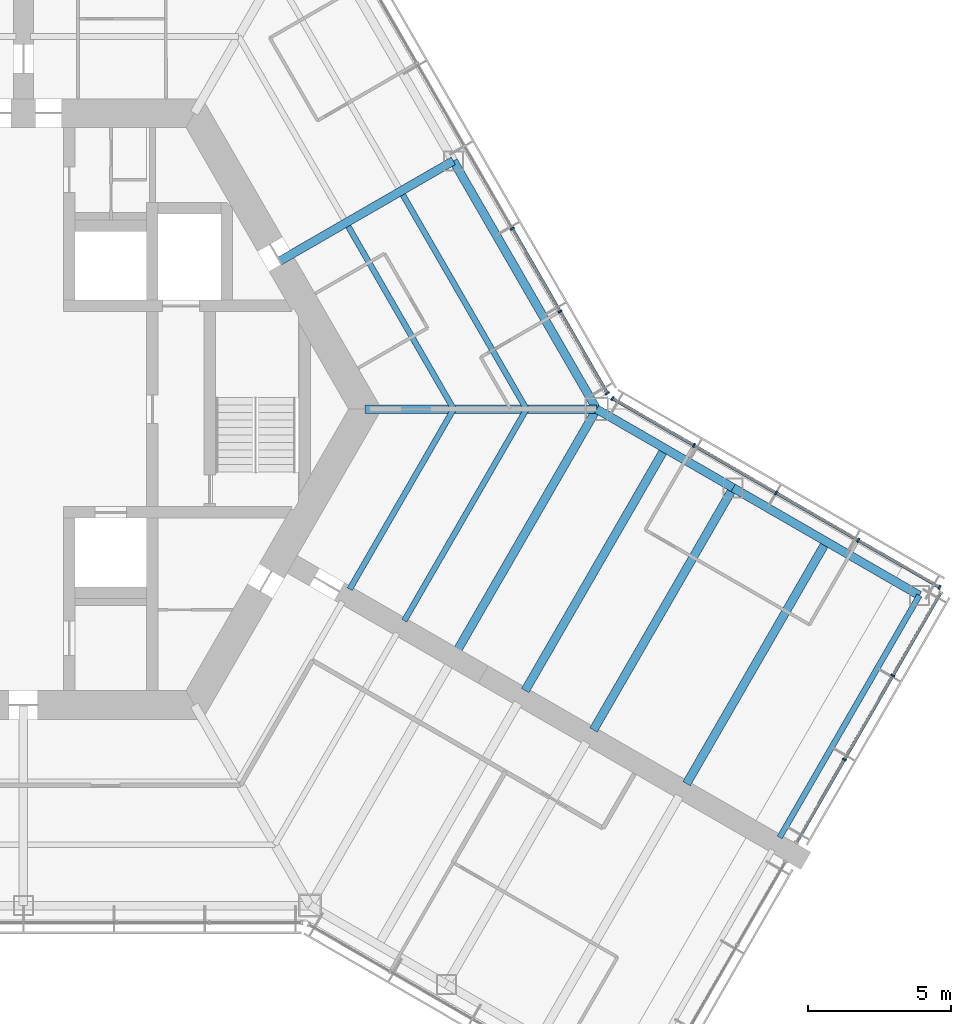
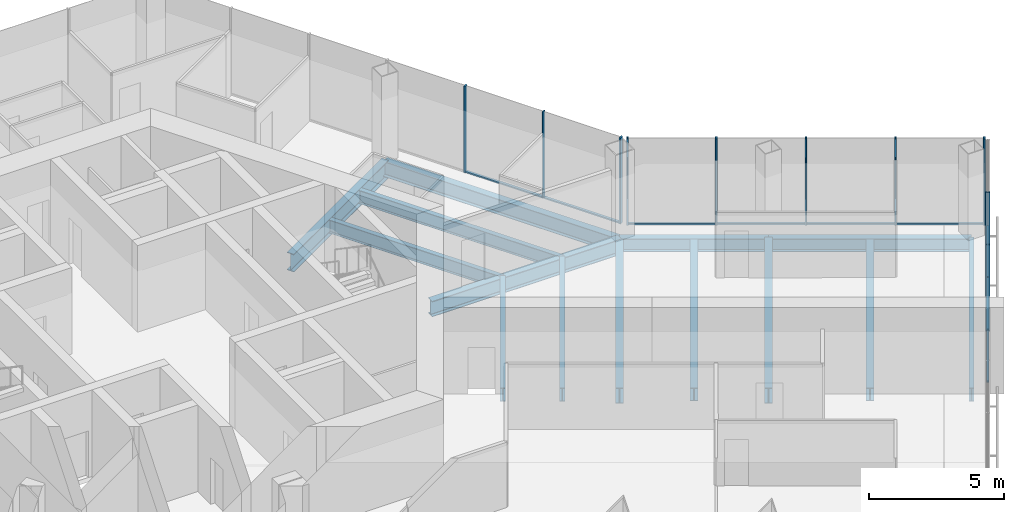
# One storey, part 6 of 18: 19 members, 14 beams, 3 elements without a shape of their own.
"""IFC4 building model written with IfcOpenShell, lengths in metres."""

from ifc_helpers import new_model, si_unit, direction, frame, origin, origin_2d, place, context, subcontext, project, spatial, rectangle, i_section, extrude, material, material_profile, profile_set, type_object, element, aggregate, save


model = new_model("IFC4")

# Units and contexts
model_context = context("Model", 3, precision=1e-05, world=origin(), true_north=direction((0.0, 1.0)))
body_context = subcontext(model_context, "Body", "Model", "MODEL_VIEW")
ifc_project = project(units=[si_unit("LENGTHUNIT", "METRE"), si_unit("AREAUNIT", "SQUARE_METRE"), si_unit("VOLUMEUNIT", "CUBIC_METRE"), si_unit("PLANEANGLEUNIT", "RADIAN"), si_unit("MASSUNIT", "GRAM", prefix="KILO")], contexts=[model_context])

# Site, building, storey
site_placement = place(None, origin())
site = spatial("IfcSite", under=ifc_project, at=site_placement, CompositionType="ELEMENT")
building_placement = place(site_placement, origin())
building = spatial("IfcBuilding", under=site, at=building_placement, Name="Kasaneha Research Tower", CompositionType="ELEMENT")
storey_placement = place(building_placement, frame((0.0, 0.0, 144.800048828125)))
storey = spatial("IfcBuildingStorey", under=building, at=storey_placement, Name="L36", CompositionType="ELEMENT", Elevation=144.800048828125)

# Beams
ifc_material_1 = material(Name="Steel SN490B", Category="steel")
ifc_material_profile_1 = material_profile(ifc_material_1, i_section(OverallWidth=0.199951171875, OverallDepth=0.60009765625, WebThickness=0.010986328125, FlangeThickness=0.01708984375, FilletRadius=0.012939453125, at=origin_2d()), Name="H-600x200x11x17")
ifc_profile_set_1 = profile_set([ifc_material_profile_1], Name="Steel SN490B")
beam_type_1 = type_object("IfcBeamType", Name="B1-3 secondary beam H-600x200x11x17", PredefinedType="JOIST", material=ifc_profile_set_1)
beam_1_placement = place(storey_placement, frame((15.010986328125, 0.0, -0.449951171875), z_axis=(-0.499994443168, 0.866028611999, 0.0), x_axis=(-0.866028611999, -0.499994443168, 0.0)))
element("IfcBeam", 1, at=beam_1_placement, inside=storey, type_object=beam_type_1, Name="Secondary beam RS030L1 L36", PredefinedType="JOIST", context=body_context, shape_type="SweptSolid", body=[
    extrude(i_section(OverallWidth=0.199951171875, OverallDepth=0.60009765625, WebThickness=0.010986328125, FlangeThickness=0.01708984375, FilletRadius=0.012939453125, at=origin_2d()), origin(), (0.0, 0.0, 1.0), 7.35546875),
])
beam_2_placement = place(storey_placement, frame((17.551513671875, 0.0, -0.449951171875), z_axis=(-0.5000050195, 0.866022505755, 0.0), x_axis=(-0.866022505755, -0.5000050195, 0.0)))
element("IfcBeam", 2, at=beam_2_placement, inside=storey, type_object=beam_type_1, Name="Secondary beam RS030L2 L36", PredefinedType="JOIST", context=body_context, shape_type="SweptSolid", body=[
    extrude(i_section(OverallWidth=0.199951171875, OverallDepth=0.60009765625, WebThickness=0.010986328125, FlangeThickness=0.01708984375, FilletRadius=0.012939453125, at=origin_2d()), origin(), (0.0, 0.0, 1.0), 8.6259765625),
])
beam_3_placement = place(storey_placement, frame((15.010986328125, 0.0, -0.449951171875), z_axis=(-0.499993340521, -0.866029248602, 0.0), x_axis=(0.866029248602, -0.499993340521, 0.0)))
element("IfcBeam", 3, at=beam_3_placement, inside=storey, type_object=beam_type_1, Name="Secondary beam RS330R1 L36", PredefinedType="JOIST", context=body_context, shape_type="SweptSolid", body=[
    extrude(i_section(OverallWidth=0.199951171875, OverallDepth=0.60009765625, WebThickness=0.010986328125, FlangeThickness=0.01708984375, FilletRadius=0.012939453125, at=origin_2d()), origin(), (0.0, 0.0, 1.0), 7.25537109375),
])
beam_4_placement = place(storey_placement, frame((17.551513671875, 0.0, -0.449951171875), z_axis=(-0.500004205306, -0.866022975836, 0.0), x_axis=(0.866022975836, -0.500004205306, 0.0)))
element("IfcBeam", 4, at=beam_4_placement, inside=storey, type_object=beam_type_1, Name="Secondary beam RS330R2 L36", PredefinedType="JOIST", context=body_context, shape_type="SweptSolid", body=[
    extrude(i_section(OverallWidth=0.199951171875, OverallDepth=0.60009765625, WebThickness=0.010986328125, FlangeThickness=0.01708984375, FilletRadius=0.012939453125, at=origin_2d()), origin(), (0.0, 0.0, 1.0), 8.52587890625),
])
ifc_material_2 = material(Name="Steel SN490B", Category="steel")
ifc_material_profile_2 = material_profile(ifc_material_2, i_section(OverallWidth=0.300048828125, OverallDepth=0.58203125, WebThickness=0.011962890625, FlangeThickness=0.01708984375, FilletRadius=0.012939453125, at=origin_2d()), Name="H-582x300x12x17")
ifc_profile_set_2 = profile_set([ifc_material_profile_2], Name="Steel SN490B")
beam_type_2 = type_object("IfcBeamType", Name="B2-3 secondary beam H-582x300x12x17", PredefinedType="JOIST", material=ifc_profile_set_2)
for number, where, z_axis, x_axis, name in (
    (5, (22.381591796875, -1.375, -0.441162109375), (-0.499995560238, -0.866027967067, 0.0), (0.866027967067, -0.499995560238, 0.0), "Secondary beam WBCN1 L36"),
    (6, (28.0107421875, -4.625, -0.441162109375), (-0.499995560238, -0.866027967067, 0.0), (0.866027967067, -0.499995560238, 0.0), "Secondary beam WBCN2 L36"),
):
    element("IfcBeam", number, at=place(storey_placement, frame(where, z_axis=z_axis, x_axis=x_axis)), inside=storey, type_object=beam_type_2, Name=name, PredefinedType="JOIST", context=body_context, shape_type="SweptSolid", body=[
        extrude(i_section(OverallWidth=0.300048828125, OverallDepth=0.58203125, WebThickness=0.011962890625, FlangeThickness=0.01708984375, FilletRadius=0.012939453125, at=origin_2d()), origin(), (0.0, 0.0, 1.0), 9.75),
    ])

# Curtain wall, members
ifc_material_3 = material(Name="Glass and aluminium", Category="aluminium")
curtain_wall_type = type_object("IfcCurtainWallType", Name="Mid-rise office curtain wall", PredefinedType="USERDEFINED", material=ifc_material_3)
curtain_wall_1_placement = place(storey_placement, origin())
curtain_wall_1 = element("IfcCurtainWall", 7, at=curtain_wall_1_placement, inside=storey, type_object=curtain_wall_type, Name="CW-O2 L36 run 04a", ObjectType="UNITISED CURTAIN WALL", PredefinedType="USERDEFINED")
ifc_material_4 = material(Name="Aluminium 6063-T6", Category="aluminium")
ifc_material_profile_3 = material_profile(ifc_material_4, rectangle(XDim=0.06005859375, YDim=0.14990234375, at=origin_2d()), Name="CW-O2 mullion 60x150")
ifc_profile_set_3 = profile_set([ifc_material_profile_3], Name="Aluminium 6063-T6")
member_type_1 = type_object("IfcMemberType", Name="CW-O2 mullion", PredefinedType="MULLION", material=ifc_profile_set_3)
member_1_placement = place(storey_placement, frame((28.64453125, -12.22705078125, 0.0), z_axis=(0.0, 0.0, 1.0), x_axis=(0.500000011442, 0.866025397178, 0.0)))
member_1 = element("IfcMember", 8, at=member_1_placement, type_object=member_type_1, Name="CW-O2 mullion 2", PredefinedType="MULLION", context=body_context, shape_type="SweptSolid", body=[
    extrude(rectangle(XDim=0.06005859375, YDim=0.14990234375, at=origin_2d()), origin(), (0.0, 0.0, 1.0), 3.89990234375),
])
member_2_placement = place(storey_placement, frame((30.336181640625, -9.297119140625, 0.0), z_axis=(0.0, 0.0, 1.0), x_axis=(0.500000011442, 0.866025397178, 0.0)))
member_2 = element("IfcMember", 9, at=member_2_placement, type_object=member_type_1, Name="CW-O2 mullion 3", PredefinedType="MULLION", context=body_context, shape_type="SweptSolid", body=[
    extrude(rectangle(XDim=0.06005859375, YDim=0.14990234375, at=origin_2d()), origin(), (0.0, 0.0, 1.0), 3.89990234375),
])

curtain_wall_2_placement = place(storey_placement, origin())
curtain_wall_2 = element("IfcCurtainWall", 10, at=curtain_wall_2_placement, inside=storey, type_object=curtain_wall_type, Name="CW-O2 L36 run 05a", ObjectType="UNITISED CURTAIN WALL", PredefinedType="USERDEFINED")
member_3_placement = place(storey_placement, frame((31.96533203125, -6.21533203125, 0.0), z_axis=(0.0, 0.0, 1.0), x_axis=(-0.866025411464, 0.499999986699, 0.0)))
member_3 = element("IfcMember", 11, at=member_3_placement, type_object=member_type_1, Name="CW-O2 mullion 1", PredefinedType="MULLION", context=body_context, shape_type="SweptSolid", body=[
    extrude(rectangle(XDim=0.06005859375, YDim=0.14990234375, at=origin_2d()), origin(), (0.0, 0.0, 1.0), 3.89990234375),
])
member_4_placement = place(storey_placement, frame((29.125, -4.575439453125, 0.0), z_axis=(0.0, 0.0, 1.0), x_axis=(-0.866025411464, 0.499999986699, 0.0)))
member_4 = element("IfcMember", 12, at=member_4_placement, type_object=member_type_1, Name="CW-O2 mullion 2", PredefinedType="MULLION", context=body_context, shape_type="SweptSolid", body=[
    extrude(rectangle(XDim=0.06005859375, YDim=0.14990234375, at=origin_2d()), origin(), (0.0, 0.0, 1.0), 3.89990234375),
])
member_5_placement = place(storey_placement, frame((26.258544921875, -2.920654296875, 0.0), z_axis=(0.0, 0.0, 1.0), x_axis=(-0.866025411464, 0.499999986699, 0.0)))
member_5 = element("IfcMember", 13, at=member_5_placement, type_object=member_type_1, Name="CW-O2 mullion 3", PredefinedType="MULLION", context=body_context, shape_type="SweptSolid", body=[
    extrude(rectangle(XDim=0.06005859375, YDim=0.14990234375, at=origin_2d()), origin(), (0.0, 0.0, 1.0), 3.89990234375),
])
member_6_placement = place(storey_placement, frame((23.39208984375, -1.265625, 0.0), z_axis=(0.0, 0.0, 1.0), x_axis=(-0.866025411464, 0.499999986699, 0.0)))
member_6 = element("IfcMember", 14, at=member_6_placement, type_object=member_type_1, Name="CW-O2 mullion 4", PredefinedType="MULLION", context=body_context, shape_type="SweptSolid", body=[
    extrude(rectangle(XDim=0.06005859375, YDim=0.14990234375, at=origin_2d()), origin(), (0.0, 0.0, 1.0), 3.89990234375),
])
member_7_placement = place(storey_placement, frame((20.5517578125, 0.374267578125, 0.0), z_axis=(0.0, 0.0, 1.0), x_axis=(-0.866025411464, 0.499999986699, 0.0)))
member_7 = element("IfcMember", 15, at=member_7_placement, type_object=member_type_1, Name="CW-O2 mullion 5", PredefinedType="MULLION", context=body_context, shape_type="SweptSolid", body=[
    extrude(rectangle(XDim=0.06005859375, YDim=0.14990234375, at=origin_2d()), origin(), (0.0, 0.0, 1.0), 3.89990234375),
])

curtain_wall_3_placement = place(storey_placement, origin())
curtain_wall_3 = element("IfcCurtainWall", 16, at=curtain_wall_3_placement, inside=storey, type_object=curtain_wall_type, Name="CW-O2 L36 run 06a", ObjectType="UNITISED CURTAIN WALL", PredefinedType="USERDEFINED")
member_8_placement = place(storey_placement, frame((20.374267578125, 0.5517578125, 0.0), z_axis=(0.0, 0.0, 1.0), x_axis=(-0.499999979232, 0.866025415775, 0.0)))
member_8 = element("IfcMember", 17, at=member_8_placement, type_object=member_type_1, Name="CW-O2 mullion 1", PredefinedType="MULLION", context=body_context, shape_type="SweptSolid", body=[
    extrude(rectangle(XDim=0.06005859375, YDim=0.14990234375, at=origin_2d()), origin(), (0.0, 0.0, 1.0), 3.89990234375),
])
member_9_placement = place(storey_placement, frame((18.723876953125, 3.410400390625, 0.0), z_axis=(0.0, 0.0, 1.0), x_axis=(-0.499999979232, 0.866025415775, 0.0)))
member_9 = element("IfcMember", 18, at=member_9_placement, type_object=member_type_1, Name="CW-O2 mullion 2", PredefinedType="MULLION", context=body_context, shape_type="SweptSolid", body=[
    extrude(rectangle(XDim=0.06005859375, YDim=0.14990234375, at=origin_2d()), origin(), (0.0, 0.0, 1.0), 3.89990234375),
])
member_10_placement = place(storey_placement, frame((17.058349609375, 6.295166015625, 0.0), z_axis=(0.0, 0.0, 1.0), x_axis=(-0.499999979232, 0.866025415775, 0.0)))
member_10 = element("IfcMember", 19, at=member_10_placement, type_object=member_type_1, Name="CW-O2 mullion 3", PredefinedType="MULLION", context=body_context, shape_type="SweptSolid", body=[
    extrude(rectangle(XDim=0.06005859375, YDim=0.14990234375, at=origin_2d()), origin(), (0.0, 0.0, 1.0), 3.89990234375),
])

# Member
ifc_material_5 = material(Name="Aluminium 6063-T6", Category="aluminium")
ifc_material_profile_4 = material_profile(ifc_material_5, rectangle(XDim=0.110107421875, YDim=0.06005859375, at=origin_2d()), Name="CW-O2 transom 110x60")
ifc_profile_set_4 = profile_set([ifc_material_profile_4], Name="Aluminium 6063-T6")
member_type_2 = type_object("IfcMemberType", Name="CW-O2 transom", PredefinedType="USERDEFINED", material=ifc_profile_set_4)
member_11_placement = place(storey_placement, frame((26.98291015625, -15.105224609375, 0.030029296875), z_axis=(0.500021914551, 0.866012751043, 0.0), x_axis=(-0.866012751043, 0.500021914551, 0.0)))
member_11 = element("IfcMember", 20, at=member_11_placement, type_object=member_type_2, Name="CW-O2 transom 1", ObjectType="TRANSOM", PredefinedType="USERDEFINED", context=body_context, shape_type="SweptSolid", body=[
    extrude(rectangle(XDim=0.110107421875, YDim=0.06005859375, at=origin_2d()), origin(), (0.0, 0.0, 1.0), 3.293212890625),
])

member_12_placement = place(storey_placement, frame((28.65966796875, -12.201171875, 0.030029296875), z_axis=(0.499978935311, 0.866037565146, 0.0), x_axis=(-0.866037565146, 0.499978935311, 0.0)))
member_12 = element("IfcMember", 21, at=member_12_placement, type_object=member_type_2, Name="CW-O2 transom 2", ObjectType="TRANSOM", PredefinedType="USERDEFINED", context=body_context, shape_type="SweptSolid", body=[
    extrude(rectangle(XDim=0.110107421875, YDim=0.06005859375, at=origin_2d()), origin(), (0.0, 0.0, 1.0), 3.323486328125),
])

member_13_placement = place(storey_placement, frame((30.351318359375, -9.27099609375, 0.030029296875), z_axis=(0.500021914551, 0.866012751043, 0.0), x_axis=(-0.866012751043, 0.500021914551, 0.0)))
member_13 = element("IfcMember", 22, at=member_13_placement, type_object=member_type_2, Name="CW-O2 transom 3", ObjectType="TRANSOM", PredefinedType="USERDEFINED", context=body_context, shape_type="SweptSolid", body=[
    extrude(rectangle(XDim=0.110107421875, YDim=0.06005859375, at=origin_2d()), origin(), (0.0, 0.0, 1.0), 3.293212890625),
])

aggregate(curtain_wall_1, [member_1, member_2, member_11, member_12, member_13])

member_14_placement = place(storey_placement, frame((31.939453125, -6.200439453125, 0.030029296875), z_axis=(-0.866041647767, 0.499971863542, 0.0), x_axis=(-0.499971863542, -0.866041647767, 0.0)))
member_14 = element("IfcMember", 23, at=member_14_placement, type_object=member_type_2, Name="CW-O2 transom 1", ObjectType="TRANSOM", PredefinedType="USERDEFINED", context=body_context, shape_type="SweptSolid", body=[
    extrude(rectangle(XDim=0.110107421875, YDim=0.06005859375, at=origin_2d()), origin(), (0.0, 0.0, 1.0), 3.219970703125),
])

member_15_placement = place(storey_placement, frame((29.098876953125, -4.560546875, 0.030029296875), z_axis=(-0.86599666273, 0.500049777664, 0.0), x_axis=(-0.500049777664, -0.86599666273, 0.0)))
member_15 = element("IfcMember", 24, at=member_15_placement, type_object=member_type_2, Name="CW-O2 transom 2", ObjectType="TRANSOM", PredefinedType="USERDEFINED", context=body_context, shape_type="SweptSolid", body=[
    extrude(rectangle(XDim=0.110107421875, YDim=0.06005859375, at=origin_2d()), origin(), (0.0, 0.0, 1.0), 3.249755859375),
])

member_16_placement = place(storey_placement, frame((26.232666015625, -2.905517578125, 0.030029296875), z_axis=(-0.86604797581, 0.499960902066, 0.0), x_axis=(-0.499960902066, -0.86604797581, 0.0)))
member_16 = element("IfcMember", 25, at=member_16_placement, type_object=member_type_2, Name="CW-O2 transom 3", ObjectType="TRANSOM", PredefinedType="USERDEFINED", context=body_context, shape_type="SweptSolid", body=[
    extrude(rectangle(XDim=0.110107421875, YDim=0.06005859375, at=origin_2d()), origin(), (0.0, 0.0, 1.0), 3.249755859375),
])

member_17_placement = place(storey_placement, frame((23.3662109375, -1.250732421875, 0.030029296875), z_axis=(-0.866022692473, 0.500004696101, 0.0), x_axis=(-0.500004696101, -0.866022692473, 0.0)))
member_17 = element("IfcMember", 26, at=member_17_placement, type_object=member_type_2, Name="CW-O2 transom 4", ObjectType="TRANSOM", PredefinedType="USERDEFINED", context=body_context, shape_type="SweptSolid", body=[
    extrude(rectangle(XDim=0.110107421875, YDim=0.06005859375, at=origin_2d()), origin(), (0.0, 0.0, 1.0), 3.2197265625),
])

aggregate(curtain_wall_2, [member_3, member_4, member_5, member_6, member_7, member_14, member_15, member_16, member_17])

member_18_placement = place(storey_placement, frame((20.359130859375, 0.577880859375, 0.030029296875), z_axis=(-0.499987643696, 0.866032537582, 0.0), x_axis=(-0.866032537582, -0.499987643696, 0.0)))
member_18 = element("IfcMember", 27, at=member_18_placement, type_object=member_type_2, Name="CW-O2 transom 1", ObjectType="TRANSOM", PredefinedType="USERDEFINED", context=body_context, shape_type="SweptSolid", body=[
    extrude(rectangle(XDim=0.110107421875, YDim=0.06005859375, at=origin_2d()), origin(), (0.0, 0.0, 1.0), 3.24072265625),
])

member_19_placement = place(storey_placement, frame((18.708740234375, 3.4365234375, 0.030029296875), z_axis=(-0.500000270186, 0.866025247793, 0.0), x_axis=(-0.866025247793, -0.500000270186, 0.0)))
member_19 = element("IfcMember", 28, at=member_19_placement, type_object=member_type_2, Name="CW-O2 transom 2", ObjectType="TRANSOM", PredefinedType="USERDEFINED", context=body_context, shape_type="SweptSolid", body=[
    extrude(rectangle(XDim=0.110107421875, YDim=0.06005859375, at=origin_2d()), origin(), (0.0, 0.0, 1.0), 3.27099609375),
])

aggregate(curtain_wall_3, [member_8, member_9, member_10, member_18, member_19])

# Beams
ifc_material_6 = material(Name="Steel SN490B", Category="steel")
ifc_material_profile_5 = material_profile(ifc_material_6, i_section(OverallWidth=0.300048828125, OverallDepth=0.699951171875, WebThickness=0.012939453125, FlangeThickness=0.02392578125, FilletRadius=0.01806640625, at=origin_2d()), Name="H-700x300x13x24")
ifc_profile_set_5 = profile_set([ifc_material_profile_5], Name="Steel SN490B")
beam_type_3 = type_object("IfcBeamType", Name="G1-3 radial girder H-700x300x13x24", PredefinedType="BEAM", material=ifc_profile_set_5)
beam_5_placement = place(storey_placement, frame((11.92236328125, 0.0, -0.5), z_axis=(1.0, 0.0, 0.0), x_axis=(0.0, 1.0, 0.0)))
element("IfcBeam", 29, at=beam_5_placement, inside=storey, type_object=beam_type_3, Name="Radial girder RV000 L36", PredefinedType="BEAM", context=body_context, shape_type="SweptSolid", body=[
    extrude(i_section(OverallWidth=0.300048828125, OverallDepth=0.699951171875, WebThickness=0.012939453125, FlangeThickness=0.02392578125, FilletRadius=0.01806640625, at=origin_2d()), origin(), (0.0, 0.0, 1.0), 8.07763671875),
])
ifc_material_7 = material(Name="Steel SN490B", Category="steel")
ifc_material_profile_6 = material_profile(ifc_material_7, i_section(OverallWidth=0.300048828125, OverallDepth=0.800048828125, WebThickness=0.013916015625, FlangeThickness=0.02587890625, FilletRadius=0.01806640625, at=origin_2d()), Name="H-800x300x14x26")
ifc_profile_set_6 = profile_set([ifc_material_profile_6], Name="Steel SN490B")
beam_type_4 = type_object("IfcBeamType", Name="G2-3 radial girder H-800x300x14x26", PredefinedType="BEAM", material=ifc_profile_set_6)
beam_6_placement = place(storey_placement, frame((8.941650390625, 5.16259765625, -0.550048828125), z_axis=(0.866039713508, 0.499975214012, 0.0), x_axis=(-0.499975214012, 0.866039713508, 0.0)))
element("IfcBeam", 30, at=beam_6_placement, inside=storey, type_object=beam_type_4, Name="Radial girder RM030 L36", PredefinedType="BEAM", context=body_context, shape_type="SweptSolid", body=[
    extrude(i_section(OverallWidth=0.300048828125, OverallDepth=0.800048828125, WebThickness=0.013916015625, FlangeThickness=0.02587890625, FilletRadius=0.01806640625, at=origin_2d()), origin(), (0.0, 0.0, 1.0), 6.995361328125),
])
ifc_material_8 = material(Name="Steel SN490B", Category="steel")
ifc_material_profile_7 = material_profile(ifc_material_8, i_section(OverallWidth=0.300048828125, OverallDepth=0.69189453125, WebThickness=0.012939453125, FlangeThickness=0.02001953125, FilletRadius=0.01806640625, at=origin_2d()), Name="H-692x300x13x20")
ifc_profile_set_7 = profile_set([ifc_material_profile_7], Name="Steel SN490B")
beam_type_5 = type_object("IfcBeamType", Name="G3-3 plate edge girder H-692x300x13x20", PredefinedType="BEAM", material=ifc_profile_set_7)
beam_7_placement = place(storey_placement, frame((20.0, 0.0, -0.49609375), z_axis=(-0.499995560238, -0.866027967067, 0.0), x_axis=(0.866027967067, -0.499995560238, 0.0)))
element("IfcBeam", 31, at=beam_7_placement, inside=storey, type_object=beam_type_5, Name="Plate edge girder PECN L36", PredefinedType="BEAM", context=body_context, shape_type="SweptSolid", body=[
    extrude(i_section(OverallWidth=0.300048828125, OverallDepth=0.69189453125, WebThickness=0.012939453125, FlangeThickness=0.02001953125, FilletRadius=0.01806640625, at=origin_2d()), origin(), (0.0, 0.0, 1.0), 9.75),
])
ifc_material_9 = material(Name="Steel SN490B", Category="steel")
ifc_material_profile_8 = material_profile(ifc_material_9, i_section(OverallWidth=0.300048828125, OverallDepth=0.699951171875, WebThickness=0.012939453125, FlangeThickness=0.02392578125, FilletRadius=0.01806640625, at=origin_2d()), Name="H-700x300x13x24")
ifc_profile_set_8 = profile_set([ifc_material_profile_8], Name="Steel SN490B")
beam_type_6 = type_object("IfcBeamType", Name="G4-3 wing girder H-700x300x13x24", PredefinedType="BEAM", material=ifc_profile_set_8)
beam_8_placement = place(storey_placement, frame((24.76318359375, -2.75, -0.5), z_axis=(-0.499995560238, -0.866027967067, 0.0), x_axis=(0.866027967067, -0.499995560238, 0.0)))
element("IfcBeam", 32, at=beam_8_placement, inside=storey, type_object=beam_type_6, Name="Wing girder WGCN L36", PredefinedType="BEAM", context=body_context, shape_type="SweptSolid", body=[
    extrude(i_section(OverallWidth=0.300048828125, OverallDepth=0.699951171875, WebThickness=0.012939453125, FlangeThickness=0.02392578125, FilletRadius=0.01806640625, at=origin_2d()), origin(), (0.0, 0.0, 1.0), 9.75),
])
ifc_material_10 = material(Name="Steel SN490B", Category="steel")
ifc_material_profile_9 = material_profile(ifc_material_10, i_section(OverallWidth=0.300048828125, OverallDepth=0.69189453125, WebThickness=0.012939453125, FlangeThickness=0.02001953125, FilletRadius=0.01806640625, at=origin_2d()), Name="H-692x300x13x20")
ifc_profile_set_9 = profile_set([ifc_material_profile_9], Name="Steel SN490B")
beam_type_7 = type_object("IfcBeamType", Name="SB1-3 spandrel beam H-692x300x13x20", PredefinedType="SPANDREL", material=ifc_profile_set_9)
beam_9_placement = place(storey_placement, frame((20.0, 0.0, -0.49609375), z_axis=(-0.500004234368, 0.866022959057, 0.0), x_axis=(-0.866022959057, -0.500004234368, 0.0)))
element("IfcBeam", 33, at=beam_9_placement, inside=storey, type_object=beam_type_7, Name="Spandrel beam SR030L L36", PredefinedType="SPANDREL", context=body_context, shape_type="SweptSolid", body=[
    extrude(i_section(OverallWidth=0.300048828125, OverallDepth=0.69189453125, WebThickness=0.012939453125, FlangeThickness=0.02001953125, FilletRadius=0.01806640625, at=origin_2d()), origin(), (0.0, 0.0, 1.0), 10.0),
])
ifc_material_11 = material(Name="Steel SN490B", Category="steel")
ifc_material_profile_10 = material_profile(ifc_material_11, i_section(OverallWidth=0.300048828125, OverallDepth=0.58203125, WebThickness=0.011962890625, FlangeThickness=0.01708984375, FilletRadius=0.012939453125, at=origin_2d()), Name="H-582x300x12x17")
ifc_profile_set_10 = profile_set([ifc_material_profile_10], Name="Steel SN490B")
beam_type_8 = type_object("IfcBeamType", Name="SB2-3 spandrel beam H-582x300x12x17", PredefinedType="SPANDREL", material=ifc_profile_set_10)
beam_10_placement = place(storey_placement, frame((20.0, 0.0, -0.441162109375), z_axis=(0.866027397988, -0.499996545922, 0.0), x_axis=(0.499996545922, 0.866027397988, 0.0)))
element("IfcBeam", 34, at=beam_10_placement, inside=storey, type_object=beam_type_8, Name="Spandrel beam WSCN1 L36", PredefinedType="SPANDREL", context=body_context, shape_type="SweptSolid", body=[
    extrude(i_section(OverallWidth=0.300048828125, OverallDepth=0.58203125, WebThickness=0.011962890625, FlangeThickness=0.01708984375, FilletRadius=0.012939453125, at=origin_2d()), origin(), (0.0, 0.0, 1.0), 5.5),
])
beam_11_placement = place(storey_placement, frame((24.76318359375, -2.75, -0.441162109375), z_axis=(0.866022959057, -0.500004234368, 0.0), x_axis=(0.500004234368, 0.866022959057, 0.0)))
element("IfcBeam", 35, at=beam_11_placement, inside=storey, type_object=beam_type_8, Name="Spandrel beam WSCN2 L36", PredefinedType="SPANDREL", context=body_context, shape_type="SweptSolid", body=[
    extrude(i_section(OverallWidth=0.300048828125, OverallDepth=0.58203125, WebThickness=0.011962890625, FlangeThickness=0.01708984375, FilletRadius=0.012939453125, at=origin_2d()), origin(), (0.0, 0.0, 1.0), 7.5),
])
ifc_material_12 = material(Name="Steel SN490B", Category="steel")
ifc_material_profile_11 = material_profile(ifc_material_12, i_section(OverallWidth=0.199951171875, OverallDepth=0.60009765625, WebThickness=0.010986328125, FlangeThickness=0.01708984375, FilletRadius=0.012939453125, at=origin_2d()), Name="H-600x200x11x17")
ifc_profile_set_11 = profile_set([ifc_material_profile_11], Name="Steel SN490B")
beam_type_9 = type_object("IfcBeamType", Name="SB3-3 spandrel beam H-600x200x11x17", PredefinedType="SPANDREL", material=ifc_profile_set_11)
beam_12_placement = place(storey_placement, frame((31.25830078125, -6.5, -0.449951171875), z_axis=(-0.499995560238, -0.866027967067, 0.0), x_axis=(0.866027967067, -0.499995560238, 0.0)))
element("IfcBeam", 36, at=beam_12_placement, inside=storey, type_object=beam_type_9, Name="Spandrel beam WTCN L36", PredefinedType="SPANDREL", context=body_context, shape_type="SweptSolid", body=[
    extrude(i_section(OverallWidth=0.199951171875, OverallDepth=0.60009765625, WebThickness=0.010986328125, FlangeThickness=0.01708984375, FilletRadius=0.012939453125, at=origin_2d()), origin(), (0.0, 0.0, 1.0), 9.75),
])

save(model, "model.ifc")
